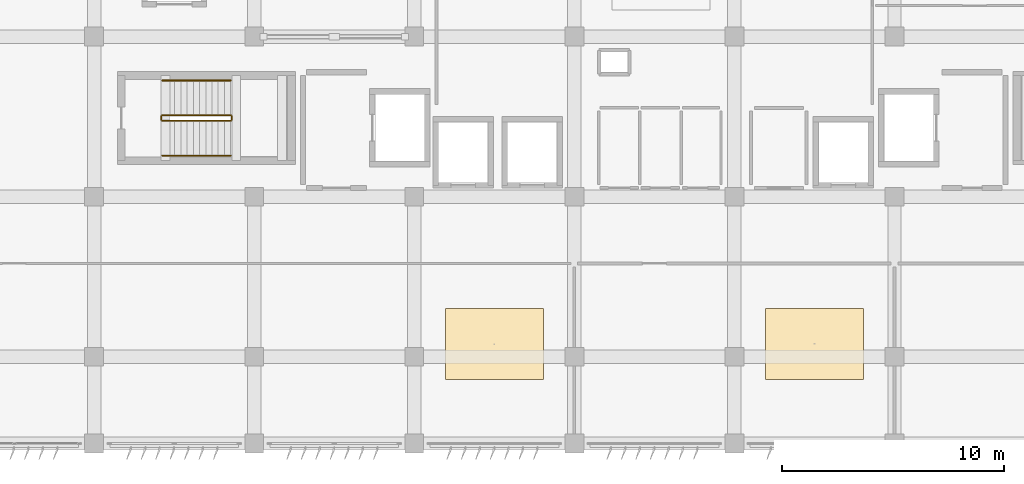
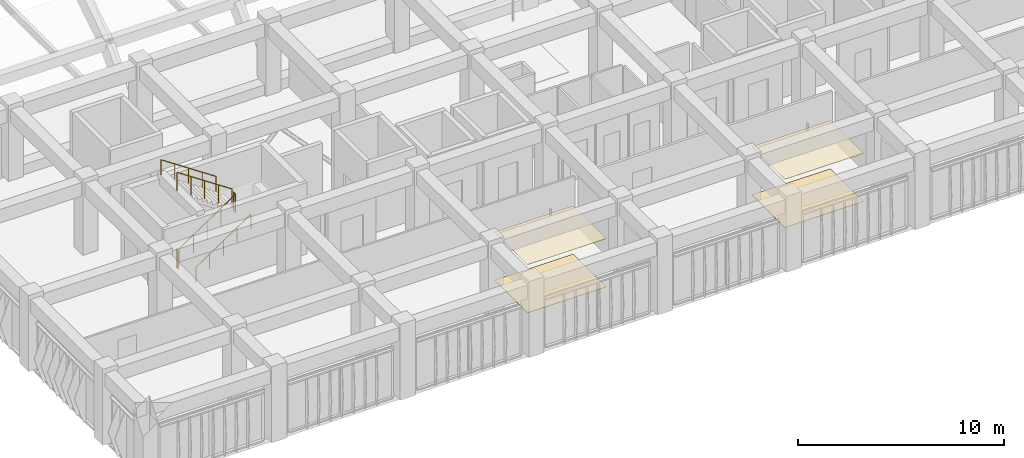
# One storey, part 45 of 48: 6 railings, 4 coverings.
"""IFC4 building model written with IfcOpenShell, lengths in metres."""

from ifc_helpers import new_model, si_unit, direction, frame, origin, origin_2d, place, context, subcontext, project, spatial, rectangle, circle, extrude, material, layer, layer_set, type_object, element, save


model = new_model("IFC4")

# Units and contexts
model_context = context("Model", 3, precision=1e-05, world=origin(), true_north=direction((0.0, 1.0)))
body_context = subcontext(model_context, "Body", "Model", "MODEL_VIEW")
ifc_project = project(units=[si_unit("LENGTHUNIT", "METRE"), si_unit("AREAUNIT", "SQUARE_METRE"), si_unit("VOLUMEUNIT", "CUBIC_METRE"), si_unit("PLANEANGLEUNIT", "RADIAN"), si_unit("MASSUNIT", "GRAM", prefix="KILO")], contexts=[model_context])

# Site, building, storey
site_placement = place(None, origin())
site = spatial("IfcSite", under=ifc_project, at=site_placement, CompositionType="ELEMENT")
building_placement = place(site_placement, origin())
building = spatial("IfcBuilding", under=site, at=building_placement, Name="Kazehaya Institute of Natural Sciences", CompositionType="ELEMENT")
storey_placement = place(building_placement, frame((0.0, 0.0, 19.800048828125)))
storey = spatial("IfcBuildingStorey", under=building, at=storey_placement, Name="L04", CompositionType="ELEMENT", Elevation=19.800048828125)

# Coverings
ifc_material_1 = material(Name="Mineral-fibre acoustic ceiling tile")
ifc_layer_1 = layer(ifc_material_1, 0.02490234375, Name="Mineral-fibre acoustic ceiling tile")
ifc_layer_set_1 = layer_set([ifc_layer_1], Name="Mineral-fibre acoustic ceiling tile")
covering_type_1 = type_object("IfcCoveringType", Name="COV-CEIL-AC", PredefinedType="CEILING", material=ifc_layer_set_1)
for number, where, z_axis, x_axis, name in (
    (1, (79.8046875, 14.5703125, 2.847412109375), (0.0, 0.0, 1.0), (1.0, 0.0, 0.0), "L04 Wet Chemistry Laboratory ceiling 40"),
    (2, (94.20556640625, 14.58056640625, 2.847412109375), (0.0, 0.0, 1.0), (1.0, 0.0, 0.0), "L04 Molecular Biology Laboratory ceiling 41"),
):
    element("IfcCovering", number, at=place(storey_placement, frame(where, z_axis=z_axis, x_axis=x_axis)), inside=storey, type_object=covering_type_1, Name=name, PredefinedType="CEILING", context=body_context, shape_type="SweptSolid", body=[
        extrude(rectangle(XDim=4.39990234375, YDim=3.199951171875, at=origin_2d()), origin(), (0.0, 0.0, 1.0), 0.02490234375),
    ])
ifc_material_2 = material(Name="Seamless chemical-resistant epoxy flooring")
ifc_layer_2 = layer(ifc_material_2, 0.014892578125, Name="Seamless chemical-resistant epoxy flooring")
ifc_layer_set_2 = layer_set([ifc_layer_2], Name="Seamless chemical-resistant epoxy flooring")
covering_type_2 = type_object("IfcCoveringType", Name="COV-FLR-EPX", PredefinedType="FLOORING", material=ifc_layer_set_2)
for number, where, z_axis, x_axis, name in (
    (3, (79.8046875, 14.5703125, 0.0), (0.0, 0.0, 1.0), (1.0, 0.0, 0.0), "L04 Wet Chemistry Laboratory finish flooring 40"),
    (4, (94.20556640625, 14.58056640625, 0.0), (0.0, 0.0, 1.0), (1.0, 0.0, 0.0), "L04 Molecular Biology Laboratory finish flooring 41"),
):
    element("IfcCovering", number, at=place(storey_placement, frame(where, z_axis=z_axis, x_axis=x_axis)), inside=storey, type_object=covering_type_2, Name=name, PredefinedType="FLOORING", context=body_context, shape_type="SweptSolid", body=[
        extrude(rectangle(XDim=4.39990234375, YDim=3.199951171875, at=origin_2d()), origin(), (0.0, 0.0, 1.0), 0.014892578125),
    ])

# Railings
ifc_material_3 = material(Name="Structural steel SN490B", Category="steel")
railing_type_1 = type_object("IfcRailingType", Name="RL-STAIR-GRD", PredefinedType="GUARDRAIL", material=ifc_material_3)
railing_1_placement = place(storey_placement, frame((64.860107421875, 24.610107421875, 0.1875)))
element("IfcRailing", 5, at=railing_1_placement, inside=storey, type_object=railing_type_1, Name="L04 ST-1 stair guard 1", PredefinedType="GUARDRAIL", context=body_context, shape_type="SweptSolid", body=[
    extrude(circle(Radius=0.02392578125, at=origin_2d()), frame((0.0, 0.0, 1.076171875), z_axis=(0.830893310487, 0.0, 0.556431762742), x_axis=(0.0, 1.0, 0.0)), (0.0, 0.0, 1.0), 3.70654296875),
    extrude(circle(Radius=0.02099609375, at=origin_2d()), origin(), (0.0, 0.0, 1.0), 1.052001953125),
    extrude(circle(Radius=0.02099609375, at=origin_2d()), frame((0.77001953125, 0.0, 0.515625)), (0.0, 0.0, 1.0), 1.052001953125),
    extrude(circle(Radius=0.02099609375, at=origin_2d()), frame((1.5400390625, 0.0, 1.03125)), (0.0, 0.0, 1.0), 1.052001953125),
    extrude(circle(Radius=0.02099609375, at=origin_2d()), frame((2.309814453125, 0.0, 1.546875)), (0.0, 0.0, 1.0), 1.052001953125),
    extrude(circle(Radius=0.02099609375, at=origin_2d()), frame((3.079833984375, 0.0, 2.0625)), (0.0, 0.0, 1.0), 1.052001953125),
])
railing_2_placement = place(storey_placement, frame((67.989990234375, 24.659912109375, 2.25)))
element("IfcRailing", 6, at=railing_2_placement, inside=storey, type_object=railing_type_1, Name="L04 ST-1 stair guard 2", PredefinedType="GUARDRAIL", context=body_context, shape_type="SweptSolid", body=[
    extrude(circle(Radius=0.02392578125, at=origin_2d()), frame((0.0, 0.0, 1.076171875), z_axis=(0.0, 1.0, 0.0), x_axis=(-1.0, 0.0, 0.0)), (0.0, 0.0, 1.0), 0.16015625),
    extrude(circle(Radius=0.02099609375, at=origin_2d()), origin(), (0.0, 0.0, 1.0), 1.052001953125),
    extrude(circle(Radius=0.02099609375, at=origin_2d()), frame((0.0, 0.16015625, 0.0)), (0.0, 0.0, 1.0), 1.052001953125),
])
railing_3_placement = place(storey_placement, frame((67.93994140625, 24.8701171875, 2.4375)))
element("IfcRailing", 7, at=railing_3_placement, inside=storey, type_object=railing_type_1, Name="L04 ST-1 stair guard 3", PredefinedType="GUARDRAIL", context=body_context, shape_type="SweptSolid", body=[
    extrude(circle(Radius=0.02392578125, at=origin_2d()), frame((0.0, 0.0, 1.076171875), z_axis=(-0.830893310487, 0.0, 0.556431762742), x_axis=(0.0, -1.0, 0.0)), (0.0, 0.0, 1.0), 3.70654296875),
    extrude(circle(Radius=0.02099609375, at=origin_2d()), origin(), (0.0, 0.0, 1.0), 1.052001953125),
    extrude(circle(Radius=0.02099609375, at=origin_2d()), frame((-0.77001953125, 0.0, 0.515625)), (0.0, 0.0, 1.0), 1.052001953125),
    extrude(circle(Radius=0.02099609375, at=origin_2d()), frame((-1.5400390625, 0.0, 1.03125)), (0.0, 0.0, 1.0), 1.052001953125),
    extrude(circle(Radius=0.02099609375, at=origin_2d()), frame((-2.309814453125, 0.0, 1.546875)), (0.0, 0.0, 1.0), 1.052001953125),
    extrude(circle(Radius=0.02099609375, at=origin_2d()), frame((-3.079833984375, 0.0, 2.0625)), (0.0, 0.0, 1.0), 1.052001953125),
])
railing_4_placement = place(storey_placement, frame((64.81005859375, 24.659912109375, 0.0)))
element("IfcRailing", 8, at=railing_4_placement, inside=storey, type_object=railing_type_1, Name="L04 ST-1 stair guard 4", PredefinedType="GUARDRAIL", context=body_context, shape_type="SweptSolid", body=[
    extrude(circle(Radius=0.02392578125, at=origin_2d()), frame((0.0, 0.0, 1.076171875), z_axis=(0.0, 1.0, 0.0), x_axis=(-1.0, 0.0, 0.0)), (0.0, 0.0, 1.0), 0.16015625),
    extrude(circle(Radius=0.02099609375, at=origin_2d()), origin(), (0.0, 0.0, 1.0), 1.052001953125),
    extrude(circle(Radius=0.02099609375, at=origin_2d()), frame((0.0, 0.16015625, 0.0)), (0.0, 0.0, 1.0), 1.052001953125),
])
ifc_material_4 = material(Name="Brushed stainless steel handrail", Category="steel")
railing_type_2 = type_object("IfcRailingType", Name="RL-STAIR-HND", PredefinedType="HANDRAIL", material=ifc_material_4)
railing_5_placement = place(storey_placement, frame((64.860107421875, 23.050048828125, 0.1875)))
element("IfcRailing", 9, at=railing_5_placement, inside=storey, type_object=railing_type_2, Name="L04 ST-1 stair handrail 1", PredefinedType="HANDRAIL", context=body_context, shape_type="SweptSolid", body=[
    extrude(circle(Radius=0.02392578125, at=origin_2d()), frame((0.0, 0.0, 0.8759765625), z_axis=(0.830893310487, 0.0, 0.556431762742), x_axis=(0.0, 1.0, 0.0)), (0.0, 0.0, 1.0), 3.70654296875),
    extrude(circle(Radius=0.02099609375, at=origin_2d()), origin(), (0.0, 0.0, 1.0), 0.851806640625),
    extrude(circle(Radius=0.02099609375, at=origin_2d()), frame((0.77001953125, 0.0, 0.515625)), (0.0, 0.0, 1.0), 0.851806640625),
    extrude(circle(Radius=0.02099609375, at=origin_2d()), frame((1.5400390625, 0.0, 1.03125)), (0.0, 0.0, 1.0), 0.851806640625),
    extrude(circle(Radius=0.02099609375, at=origin_2d()), frame((2.309814453125, 0.0, 1.546875)), (0.0, 0.0, 1.0), 0.851806640625),
    extrude(circle(Radius=0.02099609375, at=origin_2d()), frame((3.079833984375, 0.0, 2.0625)), (0.0, 0.0, 1.0), 0.851806640625),
])
railing_6_placement = place(storey_placement, frame((67.93994140625, 26.429931640625, 2.4375)))
element("IfcRailing", 10, at=railing_6_placement, inside=storey, type_object=railing_type_2, Name="L04 ST-1 stair handrail 2", PredefinedType="HANDRAIL", context=body_context, shape_type="SweptSolid", body=[
    extrude(circle(Radius=0.02392578125, at=origin_2d()), frame((0.0, 0.0, 0.8759765625), z_axis=(-0.830893310487, 0.0, 0.556431762742), x_axis=(0.0, -1.0, 0.0)), (0.0, 0.0, 1.0), 3.70654296875),
    extrude(circle(Radius=0.02099609375, at=origin_2d()), origin(), (0.0, 0.0, 1.0), 0.851806640625),
    extrude(circle(Radius=0.02099609375, at=origin_2d()), frame((-0.77001953125, 0.0, 0.515625)), (0.0, 0.0, 1.0), 0.851806640625),
    extrude(circle(Radius=0.02099609375, at=origin_2d()), frame((-1.5400390625, 0.0, 1.03125)), (0.0, 0.0, 1.0), 0.851806640625),
    extrude(circle(Radius=0.02099609375, at=origin_2d()), frame((-2.309814453125, 0.0, 1.546875)), (0.0, 0.0, 1.0), 0.851806640625),
    extrude(circle(Radius=0.02099609375, at=origin_2d()), frame((-3.079833984375, 0.0, 2.0625)), (0.0, 0.0, 1.0), 0.851806640625),
])

save(model, "model.ifc")
